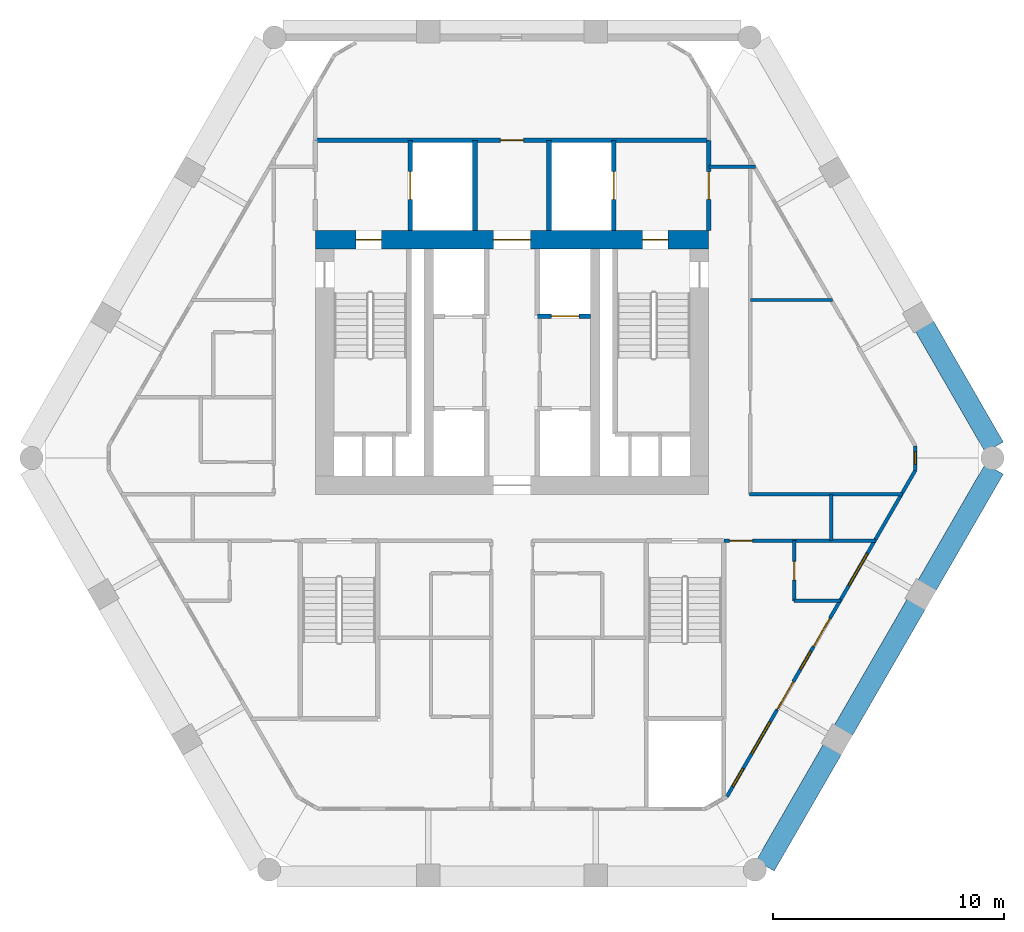
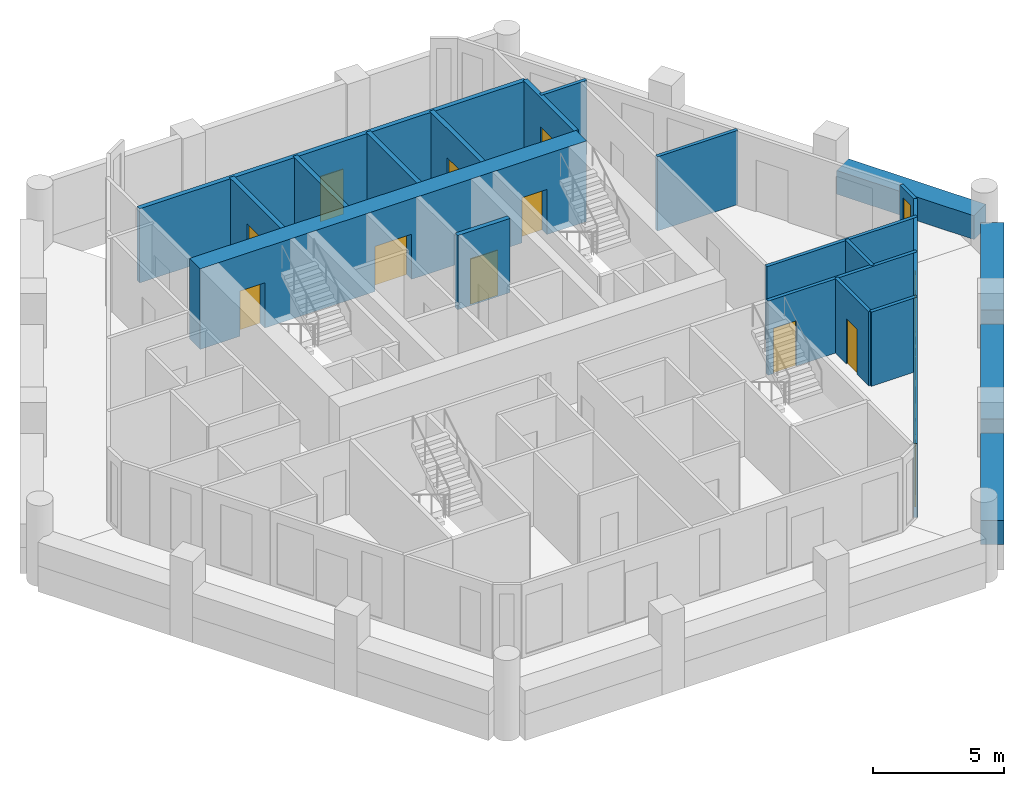
# One storey, part 5 of 7: 21 walls, 12 doors, 5 windows, 17 openings.
"""IFC4 building model written with IfcOpenShell, lengths in metres."""

from ifc_helpers import new_model, si_unit, direction, frame, frame_2d, origin, place, context, subcontext, project, spatial, rectangle, extrude, material, layer, layer_set, type_object, element, fill, save


model = new_model("IFC4")

# Units and contexts
model_context = context("Model", 3, precision=1e-05, world=origin(), true_north=direction((0.0, 1.0)))
body_context = subcontext(model_context, "Body", "Model", "MODEL_VIEW")
ifc_project = project(units=[si_unit("LENGTHUNIT", "METRE"), si_unit("AREAUNIT", "SQUARE_METRE"), si_unit("VOLUMEUNIT", "CUBIC_METRE"), si_unit("PLANEANGLEUNIT", "RADIAN"), si_unit("MASSUNIT", "GRAM", prefix="KILO")], contexts=[model_context])

# Site, building, storey
site_placement = place(None, origin())
site = spatial("IfcSite", under=ifc_project, at=site_placement, CompositionType="ELEMENT")
building_placement = place(site_placement, origin())
building = spatial("IfcBuilding", under=site, at=building_placement, Name="Ostrander Bayou Hotel Tower", CompositionType="ELEMENT")
storey_placement = place(building_placement, frame((0.0, 0.0, 160.75)))
storey = spatial("IfcBuildingStorey", under=building, at=storey_placement, Name="L39", CompositionType="ELEMENT", Elevation=160.75)

# Wall, openings, doors
ifc_material_1 = material(Name="Concrete f'c 60 MPa", Category="concrete")
ifc_layer_1 = layer(ifc_material_1, 0.800048828125)
ifc_layer_set_1 = layer_set([ifc_layer_1], Name="CW7 core wall 800 mm f'c 60 MPa")
wall_type_1 = type_object("IfcWallType", Name="CW7 core wall 800 mm f'c 60 MPa", PredefinedType="SHEAR", material=ifc_layer_set_1)
wall_1_placement = place(storey_placement, frame((-8.5, 9.300048828125, -0.300048828125), z_axis=(0.0, 0.0, 1.0), x_axis=(1.0, 0.0, 0.0)))
wall_1 = element("IfcWall", 1, at=wall_1_placement, inside=storey, type_object=wall_type_1, Name="CW7 L39 N", PredefinedType="SHEAR", context=body_context, shape_type="SweptSolid", body=[
    extrude(rectangle(XDim=17.0, YDim=0.800048828125, at=frame_2d((8.5, 0.0))), origin(), (0.0, 0.0, 1.0), 3.75),
])
opening_1_placement = place(wall_1_placement, frame((7.699951171875, 0.0, 0.0)))
opening_1 = element("IfcOpeningElement", 2, at=opening_1_placement, cuts=wall_1, Name="Opening T38-006", PredefinedType="OPENING", context=body_context, shape_type="SweptSolid", body=[
    extrude(rectangle(XDim=1.60009765625, YDim=2.10009765625, at=frame_2d((0.800048828125, 1.050048828125))), frame((0.0, 0.39990234375, 0.0), z_axis=(0.0, -1.0, 0.0), x_axis=(1.0, 0.0, 0.0)), (0.0, 0.0, 1.0), 0.800048828125),
])
opening_2_placement = place(wall_1_placement, frame((1.75, 0.0, 0.0)))
opening_2 = element("IfcOpeningElement", 3, at=opening_2_placement, cuts=wall_1, Name="Opening T38-007", PredefinedType="OPENING", context=body_context, shape_type="SweptSolid", body=[
    extrude(rectangle(XDim=1.10009765625, YDim=2.10009765625, at=frame_2d((0.550048828125, 1.050048828125))), frame((0.0, 0.39990234375, 0.0), z_axis=(0.0, -1.0, 0.0), x_axis=(1.0, 0.0, 0.0)), (0.0, 0.0, 1.0), 0.800048828125),
])
opening_3_placement = place(wall_1_placement, frame((14.14990234375, 0.0, 0.0)))
opening_3 = element("IfcOpeningElement", 4, at=opening_3_placement, cuts=wall_1, Name="Opening T38-009", PredefinedType="OPENING", context=body_context, shape_type="SweptSolid", body=[
    extrude(rectangle(XDim=1.10009765625, YDim=2.10009765625, at=frame_2d((0.550048828125, 1.050048828125))), frame((0.0, 0.39990234375, 0.0), z_axis=(0.0, -1.0, 0.0), x_axis=(1.0, 0.0, 0.0)), (0.0, 0.0, 1.0), 0.800048828125),
])
ifc_material_2 = material(Name="Timber door leaf", Category="wood")
door_type_1 = type_object("IfcDoorType", Name="D13 double door 1600 x 2100 mm, 1 hour", OperationType="SINGLE_SWING_LEFT", PredefinedType="DOOR", material=ifc_material_2)
door_1_placement = place(opening_1_placement, origin())
door_1 = element("IfcDoor", 5, at=door_1_placement, inside=storey, type_object=door_type_1, Name="dr:L39:006", OperationType="DOUBLE_DOOR_SINGLE_SWING", OverallHeight=2.10009765625, OverallWidth=1.60009765625, PredefinedType="DOOR", context=body_context, shape_type="SweptSolid", body=[
    extrude(rectangle(XDim=1.60009765625, YDim=2.10009765625, at=frame_2d((0.800048828125, 1.050048828125))), frame((0.0, 0.02490234375, 0.0), z_axis=(0.0, -1.0, 0.0), x_axis=(1.0, 0.0, 0.0)), (0.0, 0.0, 1.0), 0.050048828125),
])
fill(opening_1, door_1)
ifc_material_3 = material(Name="Timber door leaf", Category="wood")
door_type_2 = type_object("IfcDoorType", Name="D5 stair door 1100 x 2100 mm, 90 minute", OperationType="SINGLE_SWING_LEFT", PredefinedType="DOOR", material=ifc_material_3)
door_2_placement = place(opening_2_placement, origin())
door_2 = element("IfcDoor", 6, at=door_2_placement, inside=storey, type_object=door_type_2, Name="dr:L39:007", OperationType="SINGLE_SWING_LEFT", OverallHeight=2.10009765625, OverallWidth=1.10009765625, PredefinedType="DOOR", context=body_context, shape_type="SweptSolid", body=[
    extrude(rectangle(XDim=1.10009765625, YDim=2.10009765625, at=frame_2d((0.550048828125, 1.050048828125))), frame((0.0, 0.02490234375, 0.0), z_axis=(0.0, -1.0, 0.0), x_axis=(1.0, 0.0, 0.0)), (0.0, 0.0, 1.0), 0.050048828125),
])
fill(opening_2, door_2)
door_3_placement = place(opening_3_placement, origin())
door_3 = element("IfcDoor", 7, at=door_3_placement, inside=storey, type_object=door_type_2, Name="dr:L39:009", OperationType="SINGLE_SWING_RIGHT", OverallHeight=2.10009765625, OverallWidth=1.10009765625, PredefinedType="DOOR", context=body_context, shape_type="SweptSolid", body=[
    extrude(rectangle(XDim=1.10009765625, YDim=2.10009765625, at=frame_2d((0.550048828125, 1.050048828125))), frame((0.0, 0.02490234375, 0.0), z_axis=(0.0, -1.0, 0.0), x_axis=(1.0, 0.0, 0.0)), (0.0, 0.0, 1.0), 0.050048828125),
])
fill(opening_3, door_3)

# Wall, openings, doors, windows
ifc_material_4 = material(Name="Aluminium framed insulated wall", Category="aluminium")
ifc_layer_2 = layer(ifc_material_4, 0.14990234375)
ifc_layer_set_2 = layer_set([ifc_layer_2], Name="GW1 glass-line wall 150 mm")
wall_type_2 = type_object("IfcWallType", Name="GW1 glass-line wall 150 mm", PredefinedType="SOLIDWALL", material=ifc_layer_set_2)
wall_2_placement = place(storey_placement, frame((9.288818359375, -14.76171875, 0.0), z_axis=(0.0, 0.0, 1.0), x_axis=(0.499985985267, 0.866033495043, 0.0)))
wall_2 = element("IfcWall", 8, at=wall_2_placement, inside=storey, type_object=wall_type_2, Name="GW1 L39 SE 1", PredefinedType="SOLIDWALL", context=body_context, shape_type="SweptSolid", body=[
    extrude(rectangle(XDim=16.279296875, YDim=0.14990234375, at=frame_2d((8.1396484375, 0.0))), origin(), (0.0, 0.0, 1.0), 3.449951171875),
])
opening_4_placement = place(wall_2_placement, frame((2.1396484375, 0.0, 0.14990234375)))
opening_4 = element("IfcOpeningElement", 9, at=opening_4_placement, cuts=wall_2, Name="Opening W3", PredefinedType="OPENING", context=body_context, shape_type="SweptSolid", body=[
    extrude(rectangle(XDim=1.60009765625, YDim=2.85009765625, at=frame_2d((0.800048828125, 1.425048828125))), frame((0.0, 0.074951171875, 0.0), z_axis=(0.0, -1.0, 0.0), x_axis=(1.0, 0.0, 0.0)), (0.0, 0.0, 1.0), 0.14990234375),
])
opening_5_placement = place(wall_2_placement, frame((4.339599609375, 0.0, 0.0)))
opening_5 = element("IfcOpeningElement", 10, at=opening_5_placement, cuts=wall_2, Name="Opening T38-804", PredefinedType="OPENING", context=body_context, shape_type="SweptSolid", body=[
    extrude(rectangle(XDim=1.39990234375, YDim=2.39990234375, at=frame_2d((0.699951171875, 1.199951171875))), frame((0.0, 0.074951171875, 0.0), z_axis=(0.0, -1.0, 0.0), x_axis=(1.0, 0.0, 0.0)), (0.0, 0.0, 1.0), 0.14990234375),
])
opening_6_placement = place(wall_2_placement, frame((6.339599609375, 0.0, 0.14990234375)))
opening_6 = element("IfcOpeningElement", 11, at=opening_6_placement, cuts=wall_2, Name="Opening W17", PredefinedType="OPENING", context=body_context, shape_type="SweptSolid", body=[
    extrude(rectangle(XDim=0.89990234375, YDim=2.85009765625, at=frame_2d((0.449951171875, 1.425048828125))), frame((0.0, 0.074951171875, 0.0), z_axis=(0.0, -1.0, 0.0), x_axis=(1.0, 0.0, 0.0)), (0.0, 0.0, 1.0), 0.14990234375),
])
opening_7_placement = place(wall_2_placement, frame((7.49658203125, 0.0, 0.0)))
opening_7 = element("IfcOpeningElement", 12, at=opening_7_placement, cuts=wall_2, Name="Opening T38-805", PredefinedType="OPENING", context=body_context, shape_type="SweptSolid", body=[
    extrude(rectangle(XDim=1.39990234375, YDim=2.39990234375, at=frame_2d((0.699951171875, 1.199951171875))), frame((0.0, 0.074951171875, 0.0), z_axis=(0.0, -1.0, 0.0), x_axis=(1.0, 0.0, 0.0)), (0.0, 0.0, 1.0), 0.14990234375),
])
opening_8_placement = place(wall_2_placement, frame((10.53955078125, 0.0, 0.14990234375)))
opening_8 = element("IfcOpeningElement", 13, at=opening_8_placement, cuts=wall_2, Name="Opening W3", PredefinedType="OPENING", context=body_context, shape_type="SweptSolid", body=[
    extrude(rectangle(XDim=1.60009765625, YDim=2.85009765625, at=frame_2d((0.800048828125, 1.425048828125))), frame((0.0, 0.074951171875, 0.0), z_axis=(0.0, -1.0, 0.0), x_axis=(1.0, 0.0, 0.0)), (0.0, 0.0, 1.0), 0.14990234375),
])
opening_9_placement = place(wall_2_placement, frame((0.501708984375, 0.0, 0.14990234375)))
opening_9 = element("IfcOpeningElement", 14, at=opening_9_placement, cuts=wall_2, Name="Opening W17", PredefinedType="OPENING", context=body_context, shape_type="SweptSolid", body=[
    extrude(rectangle(XDim=0.89990234375, YDim=2.72998046875, at=frame_2d((0.449951171875, 1.364990234375))), frame((0.0, 0.074951171875, 0.0), z_axis=(0.0, -1.0, 0.0), x_axis=(1.0, 0.0, 0.0)), (0.0, 0.0, 1.0), 0.14990234375),
])
ifc_material_5 = material(Name="Aluminium and clear glass", Category="aluminium")
door_type_3 = type_object("IfcDoorType", Name="SD3 sliding glass door 1400 mm, zone 3", OperationType="SLIDING_TO_LEFT", PredefinedType="DOOR", material=ifc_material_5)
door_4_placement = place(opening_5_placement, origin())
door_4 = element("IfcDoor", 15, at=door_4_placement, inside=storey, type_object=door_type_3, Name="SD3 L39 SE 1", OperationType="SLIDING_TO_LEFT", OverallHeight=2.39990234375, OverallWidth=1.39990234375, PredefinedType="DOOR", context=body_context, shape_type="SweptSolid", body=[
    extrude(rectangle(XDim=1.39990234375, YDim=2.39990234375, at=frame_2d((0.699951171875, 1.199951171875))), frame((0.0, 0.02490234375, 0.0), z_axis=(0.0, -1.0, 0.0), x_axis=(1.0, 0.0, 0.0)), (0.0, 0.0, 1.0), 0.050048828125),
])
fill(opening_5, door_4)
door_5_placement = place(opening_7_placement, origin())
door_5 = element("IfcDoor", 16, at=door_5_placement, inside=storey, type_object=door_type_3, Name="SD3 L39 SE 2", OperationType="SLIDING_TO_RIGHT", OverallHeight=2.39990234375, OverallWidth=1.39990234375, PredefinedType="DOOR", context=body_context, shape_type="SweptSolid", body=[
    extrude(rectangle(XDim=1.39990234375, YDim=2.39990234375, at=frame_2d((0.699951171875, 1.199951171875))), frame((0.0, 0.02490234375, 0.0), z_axis=(0.0, -1.0, 0.0), x_axis=(1.0, 0.0, 0.0)), (0.0, 0.0, 1.0), 0.050048828125),
])
fill(opening_7, door_5)
ifc_material_6 = material(Name="Aluminium and clear glass", Category="aluminium")
window_type_1 = type_object("IfcWindowType", Name="W17 window 900 mm, zone 3", PartitioningType="SINGLE_PANEL", PredefinedType="WINDOW", material=ifc_material_6)
window_1_placement = place(opening_6_placement, origin())
window_1 = element("IfcWindow", 17, at=window_1_placement, inside=storey, type_object=window_type_1, Name="W17 L39 SE 2", OverallHeight=2.85009765625, OverallWidth=0.89990234375, PartitioningType="SINGLE_PANEL", PredefinedType="WINDOW", context=body_context, shape_type="SweptSolid", body=[
    extrude(rectangle(XDim=0.89990234375, YDim=2.85009765625, at=frame_2d((0.449951171875, 1.425048828125))), frame((0.0, 0.030029296875, 0.0), z_axis=(0.0, -1.0, 0.0), x_axis=(1.0, 0.0, 0.0)), (0.0, 0.0, 1.0), 0.06005859375),
])
fill(opening_6, window_1)
window_2_placement = place(opening_9_placement, origin())
window_2 = element("IfcWindow", 18, at=window_2_placement, inside=storey, type_object=window_type_1, Name="W17 L39 SE E11", OverallHeight=2.72998046875, OverallWidth=0.89990234375, PartitioningType="SINGLE_PANEL", PredefinedType="WINDOW", context=body_context, shape_type="SweptSolid", body=[
    extrude(rectangle(XDim=0.89990234375, YDim=2.72998046875, at=frame_2d((0.449951171875, 1.364990234375))), frame((0.0, 0.030029296875, 0.0), z_axis=(0.0, -1.0, 0.0), x_axis=(1.0, 0.0, 0.0)), (0.0, 0.0, 1.0), 0.06005859375),
])
fill(opening_9, window_2)
ifc_material_7 = material(Name="Aluminium and clear glass", Category="aluminium")
window_type_2 = type_object("IfcWindowType", Name="W3 fixed window 1600 mm, zone 3", PartitioningType="SINGLE_PANEL", PredefinedType="WINDOW", material=ifc_material_7)
window_3_placement = place(opening_4_placement, origin())
window_3 = element("IfcWindow", 19, at=window_3_placement, inside=storey, type_object=window_type_2, Name="W3 L39 SE 1", OverallHeight=2.85009765625, OverallWidth=1.60009765625, PartitioningType="SINGLE_PANEL", PredefinedType="WINDOW", context=body_context, shape_type="SweptSolid", body=[
    extrude(rectangle(XDim=1.60009765625, YDim=2.85009765625, at=frame_2d((0.800048828125, 1.425048828125))), frame((0.0, 0.030029296875, 0.0), z_axis=(0.0, -1.0, 0.0), x_axis=(1.0, 0.0, 0.0)), (0.0, 0.0, 1.0), 0.06005859375),
])
fill(opening_4, window_3)
window_4_placement = place(opening_8_placement, origin())
window_4 = element("IfcWindow", 20, at=window_4_placement, inside=storey, type_object=window_type_2, Name="W3 L39 SE 3", OverallHeight=2.85009765625, OverallWidth=1.60009765625, PartitioningType="SINGLE_PANEL", PredefinedType="WINDOW", context=body_context, shape_type="SweptSolid", body=[
    extrude(rectangle(XDim=1.60009765625, YDim=2.85009765625, at=frame_2d((0.800048828125, 1.425048828125))), frame((0.0, 0.030029296875, 0.0), z_axis=(0.0, -1.0, 0.0), x_axis=(1.0, 0.0, 0.0)), (0.0, 0.0, 1.0), 0.06005859375),
])
fill(opening_8, window_4)

# Wall, opening, window
wall_3_placement = place(storey_placement, frame((17.42822265625, -0.663330078125, 0.0), z_axis=(0.0, 0.0, 1.0), x_axis=(0.0, 1.0, 0.0)))
wall_3 = element("IfcWall", 21, at=wall_3_placement, inside=storey, type_object=wall_type_2, Name="GW1 L39 corner 5", PredefinedType="SOLIDWALL", context=body_context, shape_type="SweptSolid", body=[
    extrude(rectangle(XDim=1.06494140625, YDim=0.14990234375, at=frame_2d((0.532470703125, 0.0))), origin(), (0.0, 0.0, 1.0), 3.449951171875),
])
opening_10_placement = place(wall_3_placement, frame((0.257568359375, 0.0, 0.14990234375)))
opening_10 = element("IfcOpeningElement", 22, at=opening_10_placement, cuts=wall_3, Name="Opening W19", PredefinedType="OPENING", context=body_context, shape_type="SweptSolid", body=[
    extrude(rectangle(XDim=0.550048828125, YDim=2.85009765625, at=frame_2d((0.27490234375, 1.425048828125))), frame((0.0, 0.074951171875, 0.0), z_axis=(0.0, -1.0, 0.0), x_axis=(1.0, 0.0, 0.0)), (0.0, 0.0, 1.0), 0.14990234375),
])
ifc_material_8 = material(Name="Aluminium and clear glass", Category="aluminium")
window_type_3 = type_object("IfcWindowType", Name="W19 corner window 550 mm", PartitioningType="SINGLE_PANEL", PredefinedType="WINDOW", material=ifc_material_8)
window_5_placement = place(opening_10_placement, origin())
window_5 = element("IfcWindow", 23, at=window_5_placement, inside=storey, type_object=window_type_3, Name="W19 L39 corner 5", OverallHeight=2.85009765625, OverallWidth=0.550048828125, PartitioningType="SINGLE_PANEL", PredefinedType="WINDOW", context=body_context, shape_type="SweptSolid", body=[
    extrude(rectangle(XDim=0.550048828125, YDim=2.85009765625, at=frame_2d((0.27490234375, 1.425048828125))), frame((0.0, 0.030029296875, 0.0), z_axis=(0.0, -1.0, 0.0), x_axis=(1.0, 0.0, 0.0)), (0.0, 0.0, 1.0), 0.06005859375),
])
fill(opening_10, window_5)

# Walls
ifc_material_9 = material(Name="Concrete f'c 40 MPa", Category="concrete")
ifc_layer_3 = layer(ifc_material_9, 0.89990234375)
ifc_layer_set_3 = layer_set([ifc_layer_3], Name="PA1 stone-faced parapet 900 mm")
wall_type_3 = type_object("IfcWallType", Name="PA1 stone-faced parapet 900 mm", PredefinedType="PARAPET", material=ifc_layer_set_3)
wall_4_placement = place(storey_placement, frame((20.842041015625, 0.3388671875, 0.0), z_axis=(0.0, 0.0, 1.0), x_axis=(-0.500012890865, 0.866017961112, 0.0)))
element("IfcWall", 24, at=wall_4_placement, inside=storey, type_object=wall_type_3, Name="PA1 L39 NE-1", PredefinedType="PARAPET", context=body_context, shape_type="SweptSolid", body=[
    extrude(rectangle(XDim=6.039306640625, YDim=0.89990234375, at=frame_2d((3.01953125, 0.0))), origin(), (0.0, 0.0, 1.0), 1.10009765625),
])
ifc_material_10 = material(Name="Limestone masonry", Category="masonry")
ifc_layer_4 = layer(ifc_material_10, 0.89990234375)
ifc_layer_set_4 = layer_set([ifc_layer_4], Name="PA2 limestone parapet 900 mm")
wall_type_4 = type_object("IfcWallType", Name="PA2 limestone parapet 900 mm", PredefinedType="PARAPET", material=ifc_layer_set_4)
wall_5_placement = place(storey_placement, frame((10.941162109375, -17.74951171875, 0.0), z_axis=(0.0, 0.0, 1.0), x_axis=(0.499969679245, 0.866042908773, 0.0)))
element("IfcWall", 25, at=wall_5_placement, inside=storey, type_object=wall_type_4, Name="PA2 L39 SE-1", PredefinedType="PARAPET", context=body_context, shape_type="SweptSolid", body=[
    extrude(rectangle(XDim=5.812744140625, YDim=0.89990234375, at=frame_2d((2.90625, 0.0))), origin(), (0.0, 0.0, 1.0), 1.10009765625),
])
wall_6_placement = place(storey_placement, frame((14.3173828125, -11.9013671875, 0.0), z_axis=(0.0, 0.0, 1.0), x_axis=(0.500013351051, 0.866017695414, 0.0)))
element("IfcWall", 26, at=wall_6_placement, inside=storey, type_object=wall_type_4, Name="PA2 L39 SE-2", PredefinedType="PARAPET", context=body_context, shape_type="SweptSolid", body=[
    extrude(rectangle(XDim=6.296142578125, YDim=0.89990234375, at=frame_2d((3.14794921875, 0.0))), origin(), (0.0, 0.0, 1.0), 1.10009765625),
])
wall_7_placement = place(storey_placement, frame((17.935546875, -5.634521484375, 0.0), z_axis=(0.0, 0.0, 1.0), x_axis=(0.500019366424, 0.866014222285, 0.0)))
element("IfcWall", 27, at=wall_7_placement, inside=storey, type_object=wall_type_4, Name="PA2 L39 SE-3", PredefinedType="PARAPET", context=body_context, shape_type="SweptSolid", body=[
    extrude(rectangle(XDim=5.812744140625, YDim=0.89990234375, at=frame_2d((2.90625, 0.0))), origin(), (0.0, 0.0, 1.0), 1.10009765625),
])

# Wall, opening, door
ifc_material_11 = material(Name="Masonry block", Category="masonry")
ifc_layer_5 = layer(ifc_material_11, 0.199951171875)
ifc_layer_set_5 = layer_set([ifc_layer_5], Name="PT5 stair enclosure wall 200 mm masonry, 2 hour")
wall_type_5 = type_object("IfcWallType", Name="PT5 stair enclosure wall 200 mm masonry, 2 hour", PredefinedType="PARTITIONING", material=ifc_layer_set_5)
wall_8_placement = place(storey_placement, frame((-8.5, 13.60009765625, 0.0), z_axis=(0.0, 0.0, 1.0), x_axis=(1.0, 0.0, 0.0)))
wall_8 = element("IfcWall", 28, at=wall_8_placement, inside=storey, type_object=wall_type_5, Name="cs:L39:027", PredefinedType="PARTITIONING", context=body_context, shape_type="SweptSolid", body=[
    extrude(rectangle(XDim=17.0, YDim=0.199951171875, at=frame_2d((8.5, 0.0))), origin(), (0.0, 0.0, 1.0), 3.449951171875),
])
opening_11_placement = place(wall_8_placement, frame((8.0, 0.0, 0.0)))
opening_11 = element("IfcOpeningElement", 29, at=opening_11_placement, cuts=wall_8, Name="Opening T38-017", PredefinedType="OPENING", context=body_context, shape_type="SweptSolid", body=[
    extrude(rectangle(XDim=1.0, YDim=2.10009765625, at=frame_2d((0.5, 1.050048828125))), frame((0.0, 0.10009765625, 0.0), z_axis=(0.0, -1.0, 0.0), x_axis=(1.0, 0.0, 0.0)), (0.0, 0.0, 1.0), 0.199951171875),
])
ifc_material_12 = material(Name="Timber door leaf", Category="wood")
door_type_4 = type_object("IfcDoorType", Name="D9 service door 1000 x 2100 mm, 30 minute", OperationType="SINGLE_SWING_LEFT", PredefinedType="DOOR", material=ifc_material_12)
door_6_placement = place(opening_11_placement, origin())
door_6 = element("IfcDoor", 30, at=door_6_placement, inside=storey, type_object=door_type_4, Name="dr:L39:017", OperationType="SINGLE_SWING_LEFT", OverallHeight=2.10009765625, OverallWidth=1.0, PredefinedType="DOOR", context=body_context, shape_type="SweptSolid", body=[
    extrude(rectangle(XDim=1.0, YDim=2.10009765625, at=frame_2d((0.5, 1.050048828125))), frame((0.0, 0.02490234375, 0.0), z_axis=(0.0, -1.0, 0.0), x_axis=(1.0, 0.0, 0.0)), (0.0, 0.0, 1.0), 0.050048828125),
])
fill(opening_11, door_6)

wall_9_placement = place(storey_placement, frame((8.5, 9.699951171875, 0.0), z_axis=(0.0, 0.0, 1.0), x_axis=(0.0, 1.0, 0.0)))
wall_9 = element("IfcWall", 31, at=wall_9_placement, inside=storey, type_object=wall_type_5, Name="cs:L39:029", PredefinedType="PARTITIONING", context=body_context, shape_type="SweptSolid", body=[
    extrude(rectangle(XDim=3.900146484375, YDim=0.199951171875, at=frame_2d((1.9501953125, 0.0))), origin(), (0.0, 0.0, 1.0), 3.449951171875),
])
opening_12_placement = place(wall_9_placement, frame((1.35009765625, 0.0, 0.0)))
opening_12 = element("IfcOpeningElement", 32, at=opening_12_placement, cuts=wall_9, Name="Opening T38-016", PredefinedType="OPENING", context=body_context, shape_type="SweptSolid", body=[
    extrude(rectangle(XDim=1.199951171875, YDim=2.10009765625, at=frame_2d((0.60009765625, 1.050048828125))), frame((0.0, 0.10009765625, 0.0), z_axis=(0.0, -1.0, 0.0), x_axis=(1.0, 0.0, 0.0)), (0.0, 0.0, 1.0), 0.199951171875),
])
ifc_material_13 = material(Name="Timber door leaf", Category="wood")
door_type_5 = type_object("IfcDoorType", Name="D7 lobby door 1200 x 2100 mm, 1 hour", OperationType="SINGLE_SWING_LEFT", PredefinedType="DOOR", material=ifc_material_13)
door_7_placement = place(opening_12_placement, origin())
door_7 = element("IfcDoor", 33, at=door_7_placement, inside=storey, type_object=door_type_5, Name="dr:L39:016", OperationType="SINGLE_SWING_LEFT", OverallHeight=2.10009765625, OverallWidth=1.199951171875, PredefinedType="DOOR", context=body_context, shape_type="SweptSolid", body=[
    extrude(rectangle(XDim=1.199951171875, YDim=2.10009765625, at=frame_2d((0.60009765625, 1.050048828125))), frame((0.0, 0.02490234375, 0.0), z_axis=(0.0, -1.0, 0.0), x_axis=(1.0, 0.0, 0.0)), (0.0, 0.0, 1.0), 0.050048828125),
])
fill(opening_12, door_7)

wall_10_placement = place(storey_placement, frame((-4.39990234375, 9.699951171875, 0.0), z_axis=(0.0, 0.0, 1.0), x_axis=(0.0, 1.0, 0.0)))
wall_10 = element("IfcWall", 34, at=wall_10_placement, inside=storey, type_object=wall_type_5, Name="cs:L39:030", PredefinedType="PARTITIONING", context=body_context, shape_type="SweptSolid", body=[
    extrude(rectangle(XDim=3.900146484375, YDim=0.199951171875, at=frame_2d((1.9501953125, 0.0))), origin(), (0.0, 0.0, 1.0), 3.449951171875),
])
opening_13_placement = place(wall_10_placement, frame((1.35009765625, 0.0, 0.0)))
opening_13 = element("IfcOpeningElement", 35, at=opening_13_placement, cuts=wall_10, Name="Opening T38-013", PredefinedType="OPENING", context=body_context, shape_type="SweptSolid", body=[
    extrude(rectangle(XDim=1.199951171875, YDim=2.10009765625, at=frame_2d((0.60009765625, 1.050048828125))), frame((0.0, 0.10009765625, 0.0), z_axis=(0.0, -1.0, 0.0), x_axis=(1.0, 0.0, 0.0)), (0.0, 0.0, 1.0), 0.199951171875),
])
ifc_material_14 = material(Name="Stainless steel sliding door", Category="steel")
door_type_6 = type_object("IfcDoorType", Name="LD1 lift landing door 1200 x 2100 mm", OperationType="SINGLE_SWING_LEFT", PredefinedType="DOOR", material=ifc_material_14)
door_8_placement = place(opening_13_placement, origin())
door_8 = element("IfcDoor", 36, at=door_8_placement, inside=storey, type_object=door_type_6, Name="dr:L39:013", OperationType="SLIDING_TO_LEFT", OverallHeight=2.10009765625, OverallWidth=1.199951171875, PredefinedType="DOOR", context=body_context, shape_type="SweptSolid", body=[
    extrude(rectangle(XDim=1.199951171875, YDim=2.10009765625, at=frame_2d((0.60009765625, 1.050048828125))), frame((0.0, 0.02490234375, 0.0), z_axis=(0.0, -1.0, 0.0), x_axis=(1.0, 0.0, 0.0)), (0.0, 0.0, 1.0), 0.050048828125),
])
fill(opening_13, door_8)

wall_11_placement = place(storey_placement, frame((4.39990234375, 9.699951171875, 0.0), z_axis=(0.0, 0.0, 1.0), x_axis=(0.0, 1.0, 0.0)))
wall_11 = element("IfcWall", 37, at=wall_11_placement, inside=storey, type_object=wall_type_5, Name="cs:L39:031", PredefinedType="PARTITIONING", context=body_context, shape_type="SweptSolid", body=[
    extrude(rectangle(XDim=3.900146484375, YDim=0.199951171875, at=frame_2d((1.9501953125, 0.0))), origin(), (0.0, 0.0, 1.0), 3.449951171875),
])
opening_14_placement = place(wall_11_placement, frame((1.35009765625, 0.0, 0.0)))
opening_14 = element("IfcOpeningElement", 38, at=opening_14_placement, cuts=wall_11, Name="Opening T38-015", PredefinedType="OPENING", context=body_context, shape_type="SweptSolid", body=[
    extrude(rectangle(XDim=1.199951171875, YDim=2.10009765625, at=frame_2d((0.60009765625, 1.050048828125))), frame((0.0, 0.10009765625, 0.0), z_axis=(0.0, -1.0, 0.0), x_axis=(1.0, 0.0, 0.0)), (0.0, 0.0, 1.0), 0.199951171875),
])
door_9_placement = place(opening_14_placement, origin())
door_9 = element("IfcDoor", 39, at=door_9_placement, inside=storey, type_object=door_type_6, Name="dr:L39:015", OperationType="SLIDING_TO_LEFT", OverallHeight=2.10009765625, OverallWidth=1.199951171875, PredefinedType="DOOR", context=body_context, shape_type="SweptSolid", body=[
    extrude(rectangle(XDim=1.199951171875, YDim=2.10009765625, at=frame_2d((0.60009765625, 1.050048828125))), frame((0.0, 0.02490234375, 0.0), z_axis=(0.0, -1.0, 0.0), x_axis=(1.0, 0.0, 0.0)), (0.0, 0.0, 1.0), 0.050048828125),
])
fill(opening_14, door_9)

ifc_material_15 = material(Name="Masonry block", Category="masonry")
ifc_layer_6 = layer(ifc_material_15, 0.199951171875)
ifc_layer_set_6 = layer_set([ifc_layer_6], Name="PT6 lift shaft wall 200 mm masonry, 2 hour")
wall_type_6 = type_object("IfcWallType", Name="PT6 lift shaft wall 200 mm masonry, 2 hour", PredefinedType="PARTITIONING", material=ifc_layer_set_6)
wall_12_placement = place(storey_placement, frame((1.10009765625, 6.0, 0.0), z_axis=(0.0, 0.0, 1.0), x_axis=(1.0, 0.0, 0.0)))
wall_12 = element("IfcWall", 40, at=wall_12_placement, inside=storey, type_object=wall_type_6, Name="cs:L39:004", PredefinedType="PARTITIONING", context=body_context, shape_type="SweptSolid", body=[
    extrude(rectangle(XDim=2.2998046875, YDim=0.199951171875, at=frame_2d((1.14990234375, 0.0))), origin(), (0.0, 0.0, 1.0), 3.449951171875),
])
opening_15_placement = place(wall_12_placement, frame((0.60009765625, 0.0, 0.0)))
opening_15 = element("IfcOpeningElement", 41, at=opening_15_placement, cuts=wall_12, Name="Opening T38-004", PredefinedType="OPENING", context=body_context, shape_type="SweptSolid", body=[
    extrude(rectangle(XDim=1.199951171875, YDim=2.10009765625, at=frame_2d((0.60009765625, 1.050048828125))), frame((0.0, 0.10009765625, 0.0), z_axis=(0.0, -1.0, 0.0), x_axis=(1.0, 0.0, 0.0)), (0.0, 0.0, 1.0), 0.199951171875),
])
door_10_placement = place(opening_15_placement, origin())
door_10 = element("IfcDoor", 42, at=door_10_placement, inside=storey, type_object=door_type_6, Name="dr:L39:004", OperationType="SLIDING_TO_LEFT", OverallHeight=2.10009765625, OverallWidth=1.199951171875, PredefinedType="DOOR", context=body_context, shape_type="SweptSolid", body=[
    extrude(rectangle(XDim=1.199951171875, YDim=2.10009765625, at=frame_2d((0.60009765625, 1.050048828125))), frame((0.0, 0.02490234375, 0.0), z_axis=(0.0, -1.0, 0.0), x_axis=(1.0, 0.0, 0.0)), (0.0, 0.0, 1.0), 0.050048828125),
])
fill(opening_15, door_10)

# Walls
for number, where, z_axis, x_axis, name in (
    (43, (-1.60009765625, 9.699951171875, 0.0), (0.0, 0.0, 1.0), (0.0, 1.0, 0.0), "cs:L39:032"),
    (44, (1.60009765625, 9.699951171875, 0.0), (0.0, 0.0, 1.0), (0.0, 1.0, 0.0), "cs:L39:033"),
):
    element("IfcWall", number, at=place(storey_placement, frame(where, z_axis=z_axis, x_axis=x_axis)), inside=storey, type_object=wall_type_6, Name=name, PredefinedType="PARTITIONING", context=body_context, shape_type="SweptSolid", body=[
        extrude(rectangle(XDim=3.900146484375, YDim=0.199951171875, at=frame_2d((1.9501953125, 0.0))), origin(), (0.0, 0.0, 1.0), 3.449951171875),
    ])
ifc_material_16 = material(Name="Gypsum board partition", Category="finish")
ifc_layer_7 = layer(ifc_material_16, 0.14990234375)
ifc_layer_set_7 = layer_set([ifc_layer_7], Name="PT8 service band wall 150 mm, 1 hour")
wall_type_7 = type_object("IfcWallType", Name="PT8 service band wall 150 mm, 1 hour", PredefinedType="PARTITIONING", material=ifc_layer_set_7)
wall_13_placement = place(storey_placement, frame((12.195068359375, -6.300048828125, 0.0), z_axis=(0.0, 0.0, 1.0), x_axis=(1.0, 0.0, 0.0)))
element("IfcWall", 45, at=wall_13_placement, inside=storey, type_object=wall_type_7, Name="gw:L39:007", PredefinedType="PARTITIONING", context=body_context, shape_type="SweptSolid", body=[
    extrude(rectangle(XDim=2.031005859375, YDim=0.14990234375, at=frame_2d((1.015625, 0.0))), origin(), (0.0, 0.0, 1.0), 3.449951171875),
])

# Wall, opening, door
wall_14_placement = place(storey_placement, frame((9.159912109375, -3.699951171875, 0.0), z_axis=(0.0, 0.0, 1.0), x_axis=(1.0, 0.0, 0.0)))
wall_14 = element("IfcWall", 46, at=wall_14_placement, inside=storey, type_object=wall_type_7, Name="gw:L39:013", PredefinedType="PARTITIONING", context=body_context, shape_type="SweptSolid", body=[
    extrude(rectangle(XDim=6.567138671875, YDim=0.14990234375, at=frame_2d((3.28369140625, 0.0))), origin(), (0.0, 0.0, 1.0), 3.449951171875),
])
opening_16_placement = place(wall_14_placement, frame((0.239990234375, 0.0, 0.0)))
opening_16 = element("IfcOpeningElement", 47, at=opening_16_placement, cuts=wall_14, Name="Opening T38-410", PredefinedType="OPENING", context=body_context, shape_type="SweptSolid", body=[
    extrude(rectangle(XDim=1.0, YDim=2.10009765625, at=frame_2d((0.5, 1.050048828125))), frame((0.0, 0.074951171875, 0.0), z_axis=(0.0, -1.0, 0.0), x_axis=(1.0, 0.0, 0.0)), (0.0, 0.0, 1.0), 0.14990234375),
])
ifc_material_17 = material(Name="Timber door leaf", Category="wood")
door_type_7 = type_object("IfcDoorType", Name="D1 guest room door 1000 x 2100 mm, 30 minute", OperationType="SINGLE_SWING_LEFT", PredefinedType="DOOR", material=ifc_material_17)
door_11_placement = place(opening_16_placement, origin())
door_11 = element("IfcDoor", 48, at=door_11_placement, inside=storey, type_object=door_type_7, Name="dr:L39:410", OperationType="SINGLE_SWING_LEFT", OverallHeight=2.10009765625, OverallWidth=1.0, PredefinedType="DOOR", context=body_context, shape_type="SweptSolid", body=[
    extrude(rectangle(XDim=1.0, YDim=2.10009765625, at=frame_2d((0.5, 1.050048828125))), frame((0.0, 0.02490234375, 0.0), z_axis=(0.0, -1.0, 0.0), x_axis=(1.0, 0.0, 0.0)), (0.0, 0.0, 1.0), 0.050048828125),
])
fill(opening_16, door_11)

# Walls
wall_15_placement = place(storey_placement, frame((10.260009765625, -1.699951171875, 0.0), z_axis=(0.0, 0.0, 1.0), x_axis=(1.0, 0.0, 0.0)))
element("IfcWall", 49, at=wall_15_placement, inside=storey, type_object=wall_type_7, Name="gw:L39:015", PredefinedType="PARTITIONING", context=body_context, shape_type="SweptSolid", body=[
    extrude(rectangle(XDim=6.6220703125, YDim=0.14990234375, at=frame_2d((3.31103515625, 0.0))), origin(), (0.0, 0.0, 1.0), 3.449951171875),
])
wall_16_placement = place(storey_placement, frame((10.300048828125, 6.699951171875, 0.0), z_axis=(0.0, 0.0, 1.0), x_axis=(1.0, 0.0, 0.0)))
element("IfcWall", 50, at=wall_16_placement, inside=storey, type_object=wall_type_7, Name="gw:L39:020", PredefinedType="PARTITIONING", context=body_context, shape_type="SweptSolid", body=[
    extrude(rectangle(XDim=3.5439453125, YDim=0.14990234375, at=frame_2d((1.77197265625, 0.0))), origin(), (0.0, 0.0, 1.0), 3.449951171875),
])
wall_17_placement = place(storey_placement, frame((8.510009765625, 12.449951171875, 0.0), z_axis=(0.0, 0.0, 1.0), x_axis=(1.0, 0.0, 0.0)))
element("IfcWall", 51, at=wall_17_placement, inside=storey, type_object=wall_type_7, Name="gw:L39:022", PredefinedType="PARTITIONING", context=body_context, shape_type="SweptSolid", body=[
    extrude(rectangle(XDim=2.013916015625, YDim=0.14990234375, at=frame_2d((1.0068359375, 0.0))), origin(), (0.0, 0.0, 1.0), 3.449951171875),
])
wall_18_placement = place(storey_placement, frame((13.800048828125, -3.699951171875, 0.0), z_axis=(0.0, 0.0, 1.0), x_axis=(0.0, 1.0, 0.0)))
element("IfcWall", 52, at=wall_18_placement, inside=storey, type_object=wall_type_7, Name="gw:L39:023", PredefinedType="PARTITIONING", context=body_context, shape_type="SweptSolid", body=[
    extrude(rectangle(XDim=2.0, YDim=0.14990234375, at=frame_2d((1.0, 0.0))), origin(), (0.0, 0.0, 1.0), 3.449951171875),
])

# Wall, opening, door
wall_19_placement = place(storey_placement, frame((12.195068359375, -6.300048828125, 0.0), z_axis=(0.0, 0.0, 1.0), x_axis=(0.0, 1.0, 0.0)))
wall_19 = element("IfcWall", 53, at=wall_19_placement, inside=storey, type_object=wall_type_7, Name="gw:L39:024", PredefinedType="PARTITIONING", context=body_context, shape_type="SweptSolid", body=[
    extrude(rectangle(XDim=2.60009765625, YDim=0.14990234375, at=frame_2d((1.300048828125, 0.0))), origin(), (0.0, 0.0, 1.0), 3.449951171875),
])
opening_17_placement = place(wall_19_placement, frame((0.89990234375, 0.0, 0.0)))
opening_17 = element("IfcOpeningElement", 54, at=opening_17_placement, cuts=wall_19, Name="Opening T38-411", PredefinedType="OPENING", context=body_context, shape_type="SweptSolid", body=[
    extrude(rectangle(XDim=0.800048828125, YDim=2.10009765625, at=frame_2d((0.39990234375, 1.050048828125))), frame((0.0, 0.074951171875, 0.0), z_axis=(0.0, -1.0, 0.0), x_axis=(1.0, 0.0, 0.0)), (0.0, 0.0, 1.0), 0.14990234375),
])
ifc_material_18 = material(Name="Timber door leaf", Category="wood")
door_type_8 = type_object("IfcDoorType", Name="D2 bathroom door 800 x 2100 mm", OperationType="SINGLE_SWING_LEFT", PredefinedType="DOOR", material=ifc_material_18)
door_12_placement = place(opening_17_placement, origin())
door_12 = element("IfcDoor", 55, at=door_12_placement, inside=storey, type_object=door_type_8, Name="dr:L39:411", OperationType="SINGLE_SWING_RIGHT", OverallHeight=2.10009765625, OverallWidth=0.800048828125, PredefinedType="DOOR", context=body_context, shape_type="SweptSolid", body=[
    extrude(rectangle(XDim=0.800048828125, YDim=2.10009765625, at=frame_2d((0.39990234375, 1.050048828125))), frame((0.0, 0.02490234375, 0.0), z_axis=(0.0, -1.0, 0.0), x_axis=(1.0, 0.0, 0.0)), (0.0, 0.0, 1.0), 0.050048828125),
])
fill(opening_17, door_12)

save(model, "model.ifc")
